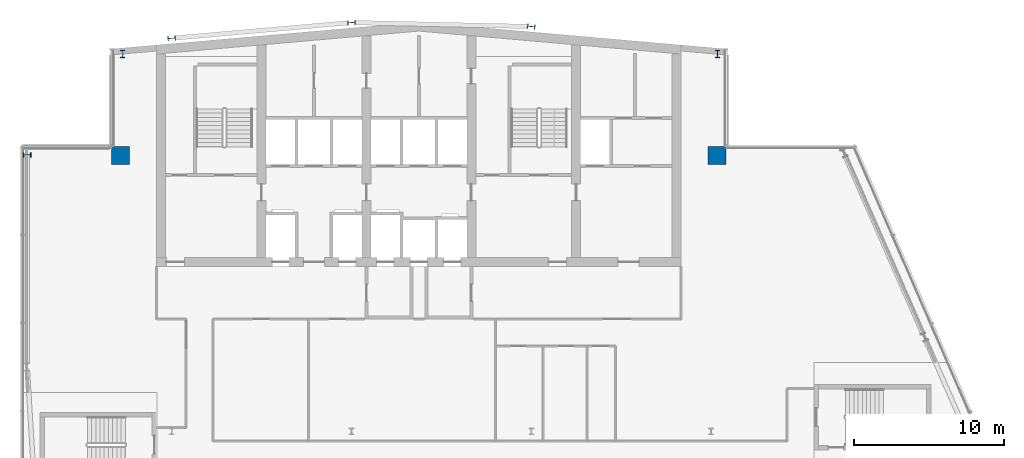
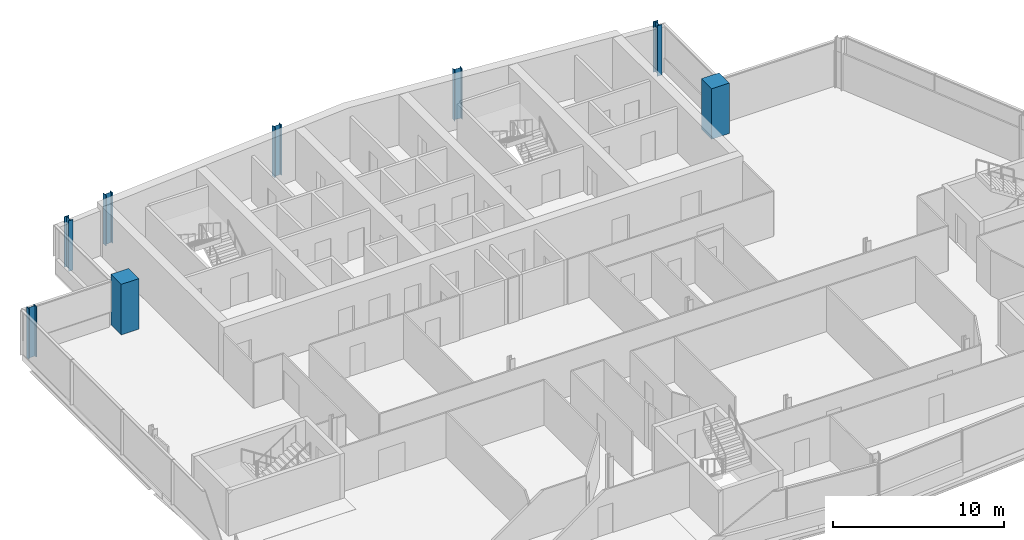
# One storey, part 3 of 22: 8 columns.
"""IFC4 building model written with IfcOpenShell, lengths in metres."""

from ifc_helpers import new_model, si_unit, direction, frame, origin, origin_2d, place, context, subcontext, project, spatial, rectangle, i_section, extrude, material, material_profile, profile_set, type_object, element, save


model = new_model("IFC4")

# Units and contexts
model_context = context("Model", 3, precision=1e-05, world=origin(), true_north=direction((0.0, 1.0)))
body_context = subcontext(model_context, "Body", "Model", "MODEL_VIEW")
ifc_project = project(units=[si_unit("LENGTHUNIT", "METRE"), si_unit("AREAUNIT", "SQUARE_METRE"), si_unit("VOLUMEUNIT", "CUBIC_METRE"), si_unit("PLANEANGLEUNIT", "RADIAN"), si_unit("MASSUNIT", "GRAM", prefix="KILO")], contexts=[model_context])

# Site, building, storey
site_placement = place(None, origin())
site = spatial("IfcSite", under=ifc_project, at=site_placement, CompositionType="ELEMENT")
building_placement = place(site_placement, origin())
building = spatial("IfcBuilding", under=site, at=building_placement, Name="Wharfspan Tower", CompositionType="ELEMENT")
storey_placement = place(building_placement, frame((0.0, 0.0, 246.699951)))
storey = spatial("IfcBuildingStorey", under=building, at=storey_placement, Name="L62", CompositionType="ELEMENT", Elevation=246.699951)

# Columns
ifc_material_1 = material(Name="Steel S355J2", Category="steel")
ifc_material_profile_1 = material_profile(ifc_material_1, i_section(OverallWidth=0.300049, OverallDepth=0.5, WebThickness=0.014404, FlangeThickness=0.028076, FilletRadius=0.0271, at=origin_2d()))
ifc_profile_set_1 = profile_set([ifc_material_profile_1], Name="Steel S355J2")
column_type_1 = type_object("IfcColumnType", Name="Column HEB 500", PredefinedType="COLUMN", material=ifc_profile_set_1)
for number, where, z_axis, x_axis, name in (
    (1, (24.0, 49.234863, 0.0), (0.0, 0.0, 1.0), (-0.087156, 0.996197, 0.0), "Rear column R.1 L62"),
    (2, (36.0, 50.284668, 0.0), (0.0, 0.0, 1.0), (-0.087156, 0.996197, 0.0), "Rear column R.2 L62"),
    (3, (48.0, 50.022217, 0.0), (0.0, 0.0, 1.0), (0.087156, 0.996197, 0.0), "Rear column R.3 L62"),
):
    element("IfcColumn", number, at=place(storey_placement, frame(where, z_axis=z_axis, x_axis=x_axis)), inside=storey, type_object=column_type_1, Name=name, PredefinedType="COLUMN", context=body_context, shape_type="SweptSolid", body=[
        extrude(i_section(OverallWidth=0.300049, OverallDepth=0.5, WebThickness=0.014404, FlangeThickness=0.028076, FilletRadius=0.0271, at=origin_2d()), origin(), (0.0, 0.0, 1.0), 3.600098),
    ])
ifc_material_profile_2 = material_profile(ifc_material_1, i_section(OverallWidth=0.305908, OverallDepth=0.523926, WebThickness=0.020996, FlangeThickness=0.040039, FilletRadius=0.0271, at=origin_2d()))
ifc_profile_set_2 = profile_set([ifc_material_profile_2], Name="Steel S355J2")
column_type_2 = type_object("IfcColumnType", Name="Column HEM 500", PredefinedType="COLUMN", material=ifc_profile_set_2)
for number, where, z_axis, x_axis, name in (
    (4, (60.422119, 48.189453, 0.0), (0.0, 0.0, 1.0), (1.0, 0.0, 0.0), "Perimeter column PNRE-V.1 L62"),
    (5, (20.731201, 48.189941, 0.0), (0.0, 0.0, 1.0), (-1.0, 0.0, 0.0), "Perimeter column PNRW-V.1 L62"),
    (6, (14.356934, 41.459717, 0.0), (0.0, 0.0, 1.0), (0.0, 1.0, 0.0), "Perimeter column PNRW-H.1 L62"),
):
    element("IfcColumn", number, at=place(storey_placement, frame(where, z_axis=z_axis, x_axis=x_axis)), inside=storey, type_object=column_type_2, Name=name, PredefinedType="COLUMN", context=body_context, shape_type="SweptSolid", body=[
        extrude(i_section(OverallWidth=0.305908, OverallDepth=0.523926, WebThickness=0.020996, FlangeThickness=0.040039, FilletRadius=0.0271, at=origin_2d()), origin(), (0.0, 0.0, 1.0), 3.600098),
    ])
ifc_material_2 = material(Name="Concrete C50/60", Category="concrete")
ifc_material_profile_3 = material_profile(ifc_material_2, rectangle(XDim=1.199951, YDim=1.199951, at=origin_2d()))
ifc_profile_set_3 = profile_set([ifc_material_profile_3], Name="Concrete C50/60")
column_type_3 = type_object("IfcColumnType", Name="Mega column 1200 C50/60", PredefinedType="COLUMN", material=ifc_profile_set_3)
for number, where, z_axis, x_axis, name in (
    (7, (20.600098, 41.399902, 0.0), (0.0, 0.0, 1.0), (1.0, 0.0, 0.0), "Mega column MC2 L62"),
    (8, (60.399902, 41.399902, 0.0), (0.0, 0.0, 1.0), (1.0, 0.0, 0.0), "Mega column MC3 L62"),
):
    element("IfcColumn", number, at=place(storey_placement, frame(where, z_axis=z_axis, x_axis=x_axis)), inside=storey, type_object=column_type_3, Name=name, PredefinedType="COLUMN", context=body_context, shape_type="SweptSolid", body=[
        extrude(rectangle(XDim=1.199951, YDim=1.199951, at=origin_2d()), origin(), (0.0, 0.0, 1.0), 3.600098),
    ])

save(model, "model.ifc")
